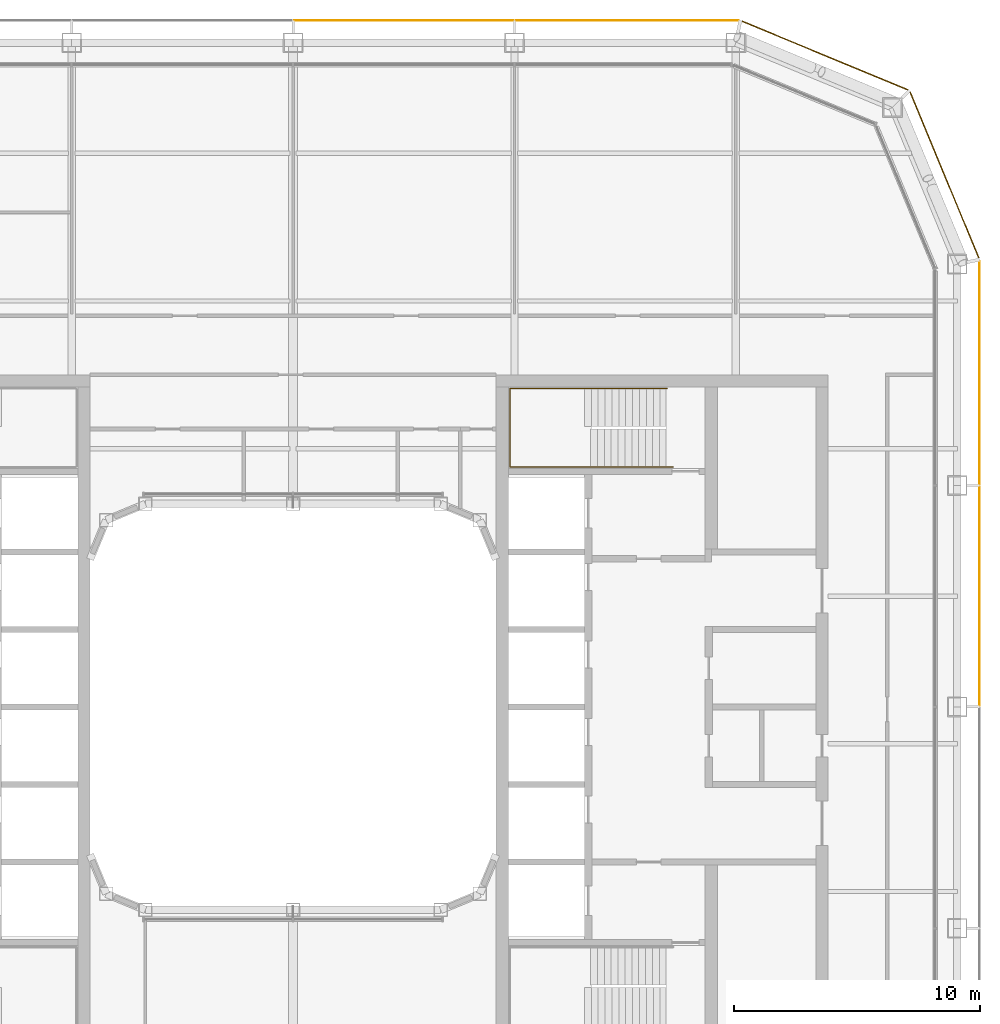
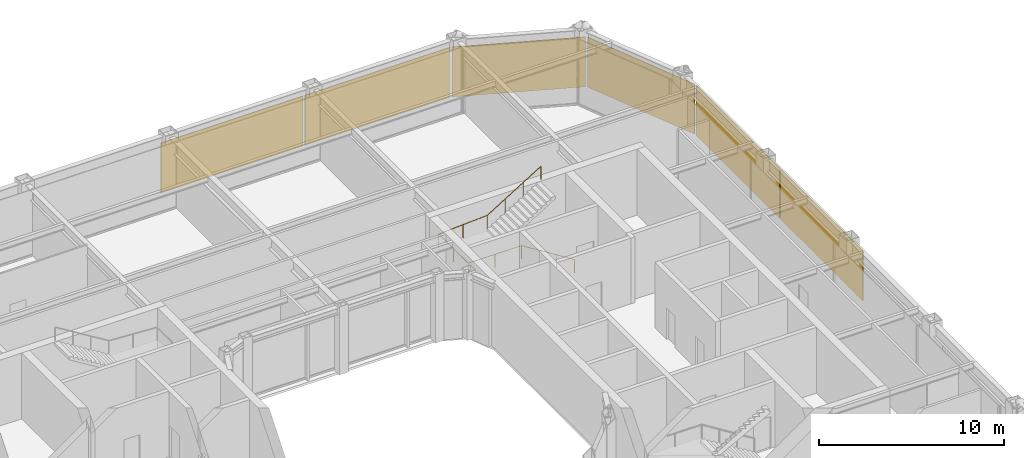
# One storey, part 22 of 23: 6 coverings, 1 railing.
"""IFC4 building model written with IfcOpenShell, lengths in metres."""

import ifcopenshell
import ifcopenshell.guid

model = None  # the IFC model being written
_history = None  # IfcOwnerHistory: only IFC2X3 demands one
_inside = {}  # id of a spatial element -> (the spatial element, [elements in it])
_under = {}  # id of a project, library or spatial element -> (it, [spatial elements below it])
_declared = {}  # id of a project -> (the project, [libraries it declares])
_typed = {}  # id of a type object -> (the type object, [elements of that type])
_made_of = {}  # id of a material, layer set ... -> (it, [elements and type objects made of it])


def new_model(schema):
    """Start an empty IFC model of exactly this schema.

    Asked for "IFC4X3", IfcOpenShell would pick the latest addendum, in which some entities
    have other attributes; the version numbers below select the first issue.
    IFC2X3 requires an IfcOwnerHistory on every rooted entity: one is made here for all.
    """
    global model, _history
    if schema == "IFC4X3":
        model = ifcopenshell.file(schema_version=(4, 3, 0, 0))
    else:
        model = ifcopenshell.file(schema=schema)
    _inside.clear()
    _under.clear()
    _declared.clear()
    _typed.clear()
    _made_of.clear()
    _history = None
    if model.schema == "IFC2X3":
        org = make("IfcOrganization", Name="unknown")
        user = make(
            "IfcPersonAndOrganization",
            ThePerson=make("IfcPerson", FamilyName="unknown"),
            TheOrganization=org,
        )
        app = make(
            "IfcApplication",
            ApplicationDeveloper=org,
            Version="unknown",
            ApplicationFullName="unknown",
            ApplicationIdentifier="unknown",
        )
        _history = make(
            "IfcOwnerHistory",
            OwningUser=user,
            OwningApplication=app,
            ChangeAction="ADDED",
            CreationDate=0,
        )
    return model


def make(cls, **values):
    """One entity of the class cls with the attributes given. An attribute that is None is left unset."""
    return model.create_entity(
        cls, **{name: value for name, value in values.items() if value is not None}
    )


def rooted(cls, **values):
    """An entity with a GlobalId (a new one), such as an element, a storey or a relation."""
    return make(cls, GlobalId=ifcopenshell.guid.new(), OwnerHistory=_history, **values)


def si_unit(unit_type, name, prefix=None):
    """IfcSIUnit, for example si_unit("LENGTHUNIT", "METRE", prefix="MILLI")."""
    return make("IfcSIUnit", UnitType=unit_type, Prefix=prefix, Name=name)


def assignment(units):
    """IfcUnitAssignment: the units of a project."""
    return None if units is None else make("IfcUnitAssignment", Units=units)


def point(xyz):
    """IfcCartesianPoint."""
    return None if xyz is None else make("IfcCartesianPoint", Coordinates=xyz)


def direction(xyz):
    """IfcDirection."""
    return None if xyz is None else make("IfcDirection", DirectionRatios=xyz)


def frame(location, z_axis=None, x_axis=None):
    """IfcAxis2Placement3D, a coordinate frame: its origin and axes. An axis left out is left unset."""
    return make(
        "IfcAxis2Placement3D",
        Location=point(location),
        Axis=direction(z_axis),
        RefDirection=direction(x_axis),
    )


def frame_2d(location, x_axis=None):
    """IfcAxis2Placement2D, a coordinate frame in the plane: its origin and x axis."""
    return make(
        "IfcAxis2Placement2D", Location=point(location), RefDirection=direction(x_axis)
    )


def origin():
    """The frame at (0, 0, 0) with its axes left unset."""
    return frame((0.0, 0.0, 0.0))


def origin_2d():
    """The frame at (0, 0) in the plane with its x axis left unset."""
    return frame_2d((0.0, 0.0))


def place(relative_to, where):
    """IfcLocalPlacement: puts the frame where relative to a parent placement (None: the world)."""
    return make(
        "IfcLocalPlacement", PlacementRelTo=relative_to, RelativePlacement=where
    )


def context(
    kind, dimensions, precision=None, world=None, true_north=None, identifier=None
):
    """IfcGeometricRepresentationContext, for example the 3D "Model" context."""
    return make(
        "IfcGeometricRepresentationContext",
        ContextIdentifier=identifier,
        ContextType=kind,
        CoordinateSpaceDimension=dimensions,
        Precision=precision,
        WorldCoordinateSystem=world,
        TrueNorth=true_north,
    )


def subcontext(parent, identifier, kind, view, scale=None):
    """IfcGeometricRepresentationSubContext, for example "Body" below "Model"."""
    return make(
        "IfcGeometricRepresentationSubContext",
        ContextIdentifier=identifier,
        ContextType=kind,
        ParentContext=parent,
        TargetScale=scale,
        TargetView=view,
    )


def project(units=None, contexts=None):
    """IfcProject with its units and contexts."""
    return rooted(
        "IfcProject",
        Name="project",
        RepresentationContexts=contexts,
        UnitsInContext=assignment(units),
    )


def spatial(cls, under=None, at=None, **own):
    """A site, building, storey or space (cls), placed at a placement, below another one or the project."""
    s = rooted(cls, ObjectPlacement=at, **own)
    if under is not None:
        _under.setdefault(under.id(), (under, []))[1].append(s)
    return s


def profile(cls, at=None, kind="AREA", **sizes):
    """A parametric profile (cls). Its sizes go by their IFC names, for example OverallWidth=200.0."""
    return make(cls, ProfileType=kind, Position=at, **sizes)


def rectangle(**sizes):
    """IfcRectangleProfileDef."""
    return profile("IfcRectangleProfileDef", **sizes)


def circle(**sizes):
    """IfcCircleProfileDef."""
    return profile("IfcCircleProfileDef", **sizes)


def extrude(swept, where, along, depth):
    """IfcExtrudedAreaSolid: the profile swept, set in the frame where, extruded along a direction by depth."""
    return make(
        "IfcExtrudedAreaSolid",
        SweptArea=swept,
        Position=where,
        ExtrudedDirection=direction(along),
        Depth=depth,
    )


def shape(context_of_items, identifier, shape_type, items):
    """IfcShapeRepresentation: the items that make up one representation, for example the "Body"."""
    return make(
        "IfcShapeRepresentation",
        ContextOfItems=context_of_items,
        RepresentationIdentifier=identifier,
        RepresentationType=shape_type,
        Items=items,
    )


def material(Name=None, Category=None):
    """IfcMaterial."""
    return make("IfcMaterial", Name=Name, Category=Category)


def layer(
    of_material, thickness, ventilated=None, Name=None, Category=None, Priority=None
):
    """IfcMaterialLayer: one layer of a wall or slab, of a material (None: an air gap)."""
    return make(
        "IfcMaterialLayer",
        Material=of_material,
        LayerThickness=thickness,
        IsVentilated=ventilated,
        Name=Name,
        Category=Category,
        Priority=Priority,
    )


def layer_set(layers, Name=None):
    """IfcMaterialLayerSet."""
    return make("IfcMaterialLayerSet", MaterialLayers=layers, LayerSetName=Name)


def made_of(thing, what):
    """Note that an element or type object is made of a material, layer set ...; save() writes the relation."""
    if what is not None:
        _made_of.setdefault(what.id(), (what, []))[1].append(thing)
    return thing


def type_object(cls, material=None, **own):
    """A type object (cls), such as IfcWallType, which elements share."""
    return made_of(rooted(cls, **own), material)


def element(
    cls,
    number,
    at=None,
    inside=None,
    cuts=None,
    type_object=None,
    material=None,
    context=None,
    identifier="Body",
    shape_type=None,
    held_by="IfcProductDefinitionShape",
    body=None,
    shapes=None,
    **own,
):
    """One element of the class cls, such as IfcWall. Its Tag is "e" and its number.

    at: its placement. inside: the storey or other place that contains it. cuts: it is an
    opening in that element (IfcRelVoidsElement). A single representation is given by context,
    identifier, shape_type and body (its items); several are given by shapes. held_by: the class
    of the entity that holds the representations. save() writes the other relations.
    """
    e = rooted(cls, Tag="e%d" % number, ObjectPlacement=at, **own)
    if body is not None:
        shapes = [shape(context, identifier, shape_type, body)]
    if shapes is not None:
        e.Representation = make(held_by, Representations=shapes)
    if inside is not None:
        _inside.setdefault(inside.id(), (inside, []))[1].append(e)
    if cuts is not None:
        rooted(
            "IfcRelVoidsElement", RelatingBuildingElement=cuts, RelatedOpeningElement=e
        )
    if type_object is not None:
        _typed.setdefault(type_object.id(), (type_object, []))[1].append(e)
    return made_of(e, material)


def aggregate(whole, parts):
    """IfcRelAggregates: a whole, such as a stair, and the parts it consists of."""
    return rooted("IfcRelAggregates", RelatingObject=whole, RelatedObjects=parts)


def save(model, path):
    """Write the relations noted so far, then the file.

    IfcRelAggregates (storeys below a building ...), IfcRelContainedInSpatialStructure (elements
    in a storey), IfcRelDefinesByType, IfcRelAssociatesMaterial and IfcRelDeclares: one each for
    every whole, place, type object, material and project.
    """
    for whole, parts in _under.values():
        aggregate(whole, parts)
    for where, things in _inside.values():
        rooted(
            "IfcRelContainedInSpatialStructure",
            RelatedElements=things,
            RelatingStructure=where,
        )
    for kind, things in _typed.values():
        rooted("IfcRelDefinesByType", RelatedObjects=things, RelatingType=kind)
    for what, things in _made_of.values():
        rooted("IfcRelAssociatesMaterial", RelatedObjects=things, RelatingMaterial=what)
    for by, libraries in _declared.values():
        rooted("IfcRelDeclares", RelatingContext=by, RelatedDefinitions=libraries)
    model.write(path)


model = new_model("IFC4")

# Units and contexts
model_context = context("Model", 3, precision=1e-05, world=origin(), true_north=direction((0.0, 1.0)))
body_context = subcontext(model_context, "Body", "Model", "MODEL_VIEW")
ifc_project = project(units=[si_unit("LENGTHUNIT", "METRE"), si_unit("AREAUNIT", "SQUARE_METRE"), si_unit("VOLUMEUNIT", "CUBIC_METRE"), si_unit("PLANEANGLEUNIT", "RADIAN"), si_unit("MASSUNIT", "GRAM", prefix="KILO")], contexts=[model_context])

# Site, building, storey
site_placement = place(None, origin())
site = spatial("IfcSite", under=ifc_project, at=site_placement, CompositionType="ELEMENT")
building_placement = place(site_placement, origin())
building = spatial("IfcBuilding", under=site, at=building_placement, Name="Siwar Civic Tower", CompositionType="ELEMENT")
storey_placement = place(building_placement, frame((0.0, 0.0, 251.199951171875)))
storey = spatial("IfcBuildingStorey", under=building, at=storey_placement, Name="L54", CompositionType="ELEMENT", Elevation=251.199951171875)

# Railing
ifc_material_1 = material(Name="Stainless steel", Category="steel")
railing_type = type_object("IfcRailingType", Name="CORE-STAIR-HANDRAIL", PredefinedType="HANDRAIL", material=ifc_material_1)
railing_placement = place(storey_placement, frame((15.449951171875, 9.758056640625, 0.173095703125)))
element("IfcRailing", 1, at=railing_placement, inside=storey, type_object=railing_type, Name="Stair handrail ST3", PredefinedType="HANDRAIL", context=body_context, shape_type="SweptSolid", body=[
    extrude(circle(Radius=0.02001953125, at=origin_2d()), frame((0.0, 0.0, 0.8798828125), z_axis=(-0.847063342986, 0.0, 0.531491950051), x_axis=(0.0, -1.0, 0.0)), (0.0, 0.0, 1.0), 3.90771484375),
    extrude(circle(Radius=0.02001953125, at=origin_2d()), frame((-3.31005859375, 0.0, 2.956787109375), z_axis=(-1.0, 0.0, 0.0), x_axis=(0.0, -1.0, 0.0)), (0.0, 0.0, 1.0), 3.331787109375),
    extrude(circle(Radius=0.02001953125, at=origin_2d()), frame((-6.641845703125, 0.0, 2.956787109375), z_axis=(0.0, 1.0, 0.0), x_axis=(-1.0, 0.0, 0.0)), (0.0, 0.0, 1.0), 3.183837890625),
    extrude(circle(Radius=0.02001953125, at=origin_2d()), frame((-6.641845703125, 3.183837890625, 2.956787109375), z_axis=(0.99837434197, 0.0, 0.056997134106), x_axis=(0.0, 1.0, 0.0)), (0.0, 0.0, 1.0), 3.036865234375),
    extrude(circle(Radius=0.02001953125, at=origin_2d()), frame((-3.60986328125, 3.183837890625, 3.1298828125), z_axis=(0.850606129759, 0.0, 0.525803396734), x_axis=(0.0, 1.0, 0.0)), (0.0, 0.0, 1.0), 3.949951171875),
    extrude(circle(Radius=0.02001953125, at=origin_2d()), origin(), (0.0, 0.0, 1.0), 0.85986328125),
    extrude(circle(Radius=0.02001953125, at=origin_2d()), frame((-1.103271484375, 0.0, 0.6923828125)), (0.0, 0.0, 1.0), 0.85986328125),
    extrude(circle(Radius=0.02001953125, at=origin_2d()), frame((-2.206787109375, 0.0, 1.384521484375)), (0.0, 0.0, 1.0), 0.85986328125),
    extrude(circle(Radius=0.02001953125, at=origin_2d()), frame((-3.31005859375, 0.0, 2.076904296875)), (0.0, 0.0, 1.0), 0.85986328125),
    extrude(circle(Radius=0.02001953125, at=origin_2d()), frame((-4.97607421875, 0.0, 2.076904296875)), (0.0, 0.0, 1.0), 0.85986328125),
    extrude(circle(Radius=0.02001953125, at=origin_2d()), frame((-6.641845703125, 0.0, 2.076904296875)), (0.0, 0.0, 1.0), 0.85986328125),
    extrude(circle(Radius=0.02001953125, at=origin_2d()), frame((-6.641845703125, 1.591796875, 2.076904296875)), (0.0, 0.0, 1.0), 0.85986328125),
    extrude(circle(Radius=0.02001953125, at=origin_2d()), frame((-6.641845703125, 3.183837890625, 2.076904296875)), (0.0, 0.0, 1.0), 0.85986328125),
    extrude(circle(Radius=0.02001953125, at=origin_2d()), frame((-5.1259765625, 3.183837890625, 2.16357421875)), (0.0, 0.0, 1.0), 0.85986328125),
    extrude(circle(Radius=0.02001953125, at=origin_2d()), frame((-3.60986328125, 3.183837890625, 2.25)), (0.0, 0.0, 1.0), 0.85986328125),
    extrude(circle(Radius=0.02001953125, at=origin_2d()), frame((-2.489990234375, 3.183837890625, 2.9423828125)), (0.0, 0.0, 1.0), 0.85986328125),
    extrude(circle(Radius=0.02001953125, at=origin_2d()), frame((-1.369873046875, 3.183837890625, 3.634521484375)), (0.0, 0.0, 1.0), 0.85986328125),
    extrude(circle(Radius=0.02001953125, at=origin_2d()), frame((-0.25, 3.183837890625, 4.326904296875)), (0.0, 0.0, 1.0), 0.85986328125),
])

# Coverings
ifc_material_2 = material(Name="Perforated aluminium cassette, pale metal", Category="aluminium")
ifc_layer = layer(ifc_material_2, 0.0400390625)
ifc_layer_set = layer_set([ifc_layer], Name="Perforated aluminium cassette, pale metal")
covering_type = type_object("IfcCoveringType", Name="ENV-OUTER SKIN OS-1", PredefinedType="CLADDING", material=ifc_layer_set)
covering_1_placement = place(storey_placement, frame((27.89990234375, 4.5, -0.14990234375), z_axis=(0.0, 0.0, 1.0), x_axis=(0.0, 1.0, 0.0)))
element("IfcCovering", 2, at=covering_1_placement, inside=storey, type_object=covering_type, Name="OUTER SKIN OS-1 E 3", PredefinedType="CLADDING", context=body_context, shape_type="SweptSolid", body=[
    extrude(rectangle(XDim=8.89990234375, YDim=0.0400390625, at=origin_2d()), origin(), (0.0, 0.0, 1.0), 3.300048828125),
])
covering_2_placement = place(storey_placement, frame((27.89990234375, 13.57958984375, -0.14990234375), z_axis=(0.0, 0.0, 1.0), x_axis=(0.0, 1.0, 0.0)))
element("IfcCovering", 3, at=covering_2_placement, inside=storey, type_object=covering_type, Name="OUTER SKIN OS-1 E 4", PredefinedType="CLADDING", context=body_context, shape_type="SweptSolid", body=[
    extrude(rectangle(XDim=9.05908203125, YDim=0.0400390625, at=origin_2d()), origin(), (0.0, 0.0, 1.0), 3.300048828125),
])
for number, where, z_axis, x_axis, name in (
    (4, (26.476318359375, 21.615966796875, -0.14990234375), (0.0, 0.0, 1.0), (-0.382683432365, 0.923879532511, 0.0), "OUTER SKIN OS-1 NE1 1"),
    (5, (21.615966796875, 26.476318359375, -0.14990234375), (0.0, 0.0, 1.0), (-0.923879532511, 0.382683432365, 0.0), "OUTER SKIN OS-1 NE2 1"),
):
    element("IfcCovering", number, at=place(storey_placement, frame(where, z_axis=z_axis, x_axis=x_axis)), inside=storey, type_object=covering_type, Name=name, PredefinedType="CLADDING", context=body_context, shape_type="SweptSolid", body=[
        extrude(rectangle(XDim=7.300048828125, YDim=0.0400390625, at=origin_2d()), origin(), (0.0, 0.0, 1.0), 3.300048828125),
    ])
covering_3_placement = place(storey_placement, frame((13.57958984375, 27.89990234375, -0.14990234375), z_axis=(0.0, 0.0, 1.0), x_axis=(-1.0, 0.0, 0.0)))
element("IfcCovering", 6, at=covering_3_placement, inside=storey, type_object=covering_type, Name="OUTER SKIN OS-1 N 1", PredefinedType="CLADDING", context=body_context, shape_type="SweptSolid", body=[
    extrude(rectangle(XDim=9.05908203125, YDim=0.0400390625, at=origin_2d()), origin(), (0.0, 0.0, 1.0), 3.300048828125),
])
covering_4_placement = place(storey_placement, frame((4.5, 27.89990234375, -0.14990234375), z_axis=(0.0, 0.0, 1.0), x_axis=(-1.0, 0.0, 0.0)))
element("IfcCovering", 7, at=covering_4_placement, inside=storey, type_object=covering_type, Name="OUTER SKIN OS-1 N 2", PredefinedType="CLADDING", context=body_context, shape_type="SweptSolid", body=[
    extrude(rectangle(XDim=8.89990234375, YDim=0.0400390625, at=origin_2d()), origin(), (0.0, 0.0, 1.0), 3.300048828125),
])

save(model, "model.ifc")
